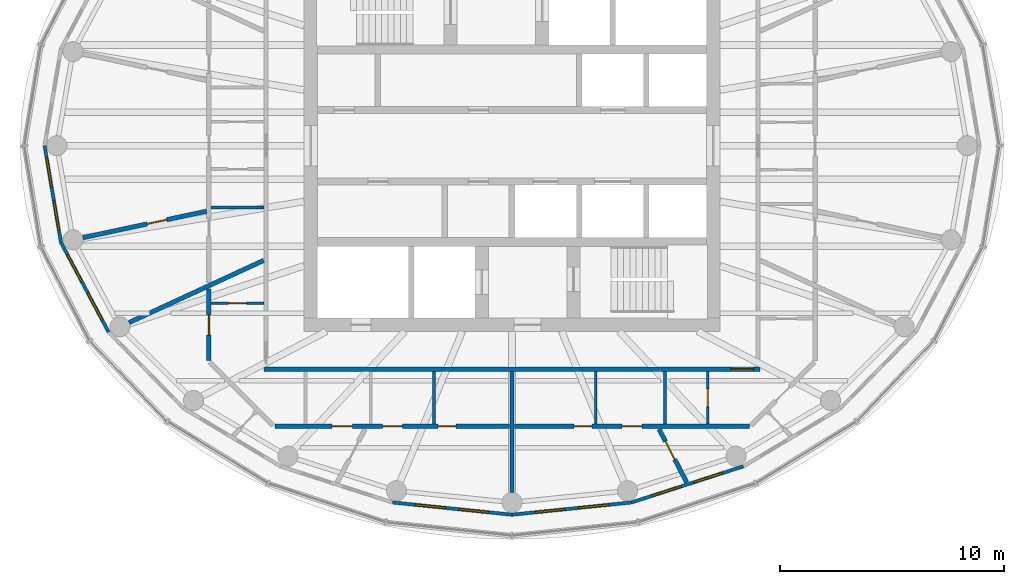
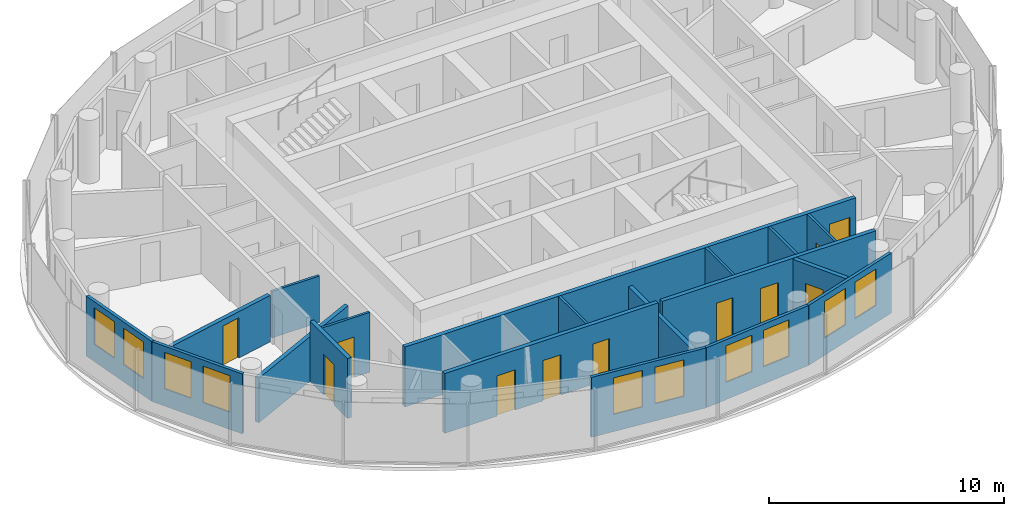
# One storey, part 5 of 11: 19 walls, 11 doors, 10 windows, 21 openings.
"""IFC4 building model written with IfcOpenShell, lengths in metres."""

from ifc_helpers import new_model, si_unit, direction, frame, frame_2d, origin, place, context, subcontext, project, spatial, rectangle, extrude, material, layer, layer_set, type_object, element, fill, save


model = new_model("IFC4")

# Units and contexts
model_context = context("Model", 3, precision=1e-05, world=origin(), true_north=direction((0.0, 1.0)))
body_context = subcontext(model_context, "Body", "Model", "MODEL_VIEW")
ifc_project = project(units=[si_unit("LENGTHUNIT", "METRE"), si_unit("AREAUNIT", "SQUARE_METRE"), si_unit("VOLUMEUNIT", "CUBIC_METRE"), si_unit("PLANEANGLEUNIT", "RADIAN"), si_unit("MASSUNIT", "GRAM", prefix="KILO")], contexts=[model_context])

# Site, building, storey
site_placement = place(None, origin())
site = spatial("IfcSite", under=ifc_project, at=site_placement, CompositionType="ELEMENT")
building_placement = place(site_placement, origin())
building = spatial("IfcBuilding", under=site, at=building_placement, Name="Hankou Lantern Tower", CompositionType="ELEMENT")
storey_placement = place(building_placement, frame((0.0, 0.0, 225.89990234375)))
storey = spatial("IfcBuildingStorey", under=building, at=storey_placement, Name="L61", CompositionType="ELEMENT", Elevation=225.89990234375)

# Wall, openings, windows
ifc_material_1 = material(Name="Aluminium spandrel panel on steel studs", Category="steel")
ifc_layer_1 = layer(ifc_material_1, 0.14990234375)
ifc_layer_set_1 = layer_set([ifc_layer_1], Name="Aluminium spandrel panel on steel studs")
wall_type_1 = type_object("IfcWallType", Name="EW1 INNER SKIN WALL 150", PredefinedType="ELEMENTEDWALL", material=ifc_layer_set_1)
wall_1_placement = place(storey_placement, frame((-20.89990234375, 0.0, 0.0), z_axis=(0.0, 0.0, 1.0), x_axis=(0.166538513568, -0.986034950445, 0.0)))
wall_1 = element("IfcWall", 1, at=wall_1_placement, inside=storey, type_object=wall_type_1, Name="Inner skin R13-R14 L61", PredefinedType="ELEMENTEDWALL", context=body_context, shape_type="SweptSolid", body=[
    extrude(rectangle(XDim=4.384765625, YDim=0.14990234375, at=frame_2d((2.1923828125, 0.0))), origin(), (0.0, 0.0, 1.0), 3.1201171875),
])
opening_1_placement = place(wall_1_placement, frame((0.54248046875, 0.0, 0.89990234375)))
opening_1 = element("IfcOpeningElement", 2, at=opening_1_placement, cuts=wall_1, Name="Opening W4", PredefinedType="OPENING", context=body_context, shape_type="SweptSolid", body=[
    extrude(rectangle(XDim=1.35009765625, YDim=1.89990234375, at=frame_2d((0.675048828125, 0.949951171875))), frame((0.0, 0.0849609375, 0.0), z_axis=(0.0, -1.0, 0.0), x_axis=(1.0, 0.0, 0.0)), (0.0, 0.0, 1.0), 0.169921875),
])
opening_2_placement = place(wall_1_placement, frame((2.492431640625, 0.0, 0.89990234375)))
opening_2 = element("IfcOpeningElement", 3, at=opening_2_placement, cuts=wall_1, Name="Opening W4", PredefinedType="OPENING", context=body_context, shape_type="SweptSolid", body=[
    extrude(rectangle(XDim=1.35009765625, YDim=1.89990234375, at=frame_2d((0.675048828125, 0.949951171875))), frame((0.0, 0.0849609375, 0.0), z_axis=(0.0, -1.0, 0.0), x_axis=(1.0, 0.0, 0.0)), (0.0, 0.0, 1.0), 0.169921875),
])
ifc_material_2 = material(Name="Aluminium framed double glazed window", Category="aluminium")
window_type = type_object("IfcWindowType", Name="W4 SUITE WINDOW 1350X1900", PartitioningType="DOUBLE_PANEL_VERTICAL", PredefinedType="WINDOW", material=ifc_material_2)
window_1_placement = place(opening_1_placement, origin())
window_1 = element("IfcWindow", 4, at=window_1_placement, inside=storey, type_object=window_type, Name="Window R13.1 L61", OverallHeight=1.89990234375, OverallWidth=1.35009765625, PartitioningType="SINGLE_PANEL", PredefinedType="WINDOW", context=body_context, shape_type="SweptSolid", body=[
    extrude(rectangle(XDim=1.35009765625, YDim=1.89990234375, at=frame_2d((0.675048828125, 0.949951171875))), frame((0.0, 0.030029296875, 0.0), z_axis=(0.0, -1.0, 0.0), x_axis=(1.0, 0.0, 0.0)), (0.0, 0.0, 1.0), 0.06005859375),
])
fill(opening_1, window_1)
window_2_placement = place(opening_2_placement, origin())
window_2 = element("IfcWindow", 5, at=window_2_placement, inside=storey, type_object=window_type, Name="Window R13.2 L61", OverallHeight=1.89990234375, OverallWidth=1.35009765625, PartitioningType="SINGLE_PANEL", PredefinedType="WINDOW", context=body_context, shape_type="SweptSolid", body=[
    extrude(rectangle(XDim=1.35009765625, YDim=1.89990234375, at=frame_2d((0.675048828125, 0.949951171875))), frame((0.0, 0.030029296875, 0.0), z_axis=(0.0, -1.0, 0.0), x_axis=(1.0, 0.0, 0.0)), (0.0, 0.0, 1.0), 0.06005859375),
])
fill(opening_2, window_2)

wall_2_placement = place(storey_placement, frame((-20.169677734375, -4.323486328125, 0.0), z_axis=(0.0, 0.0, 1.0), x_axis=(0.469256152955, -0.883062094597, 0.0)))
wall_2 = element("IfcWall", 6, at=wall_2_placement, inside=storey, type_object=wall_type_1, Name="Inner skin R14-R15 L61", PredefinedType="ELEMENTEDWALL", context=body_context, shape_type="SweptSolid", body=[
    extrude(rectangle(XDim=4.539306640625, YDim=0.14990234375, at=frame_2d((2.26953125, 0.0))), origin(), (0.0, 0.0, 1.0), 3.1201171875),
])
opening_3_placement = place(wall_2_placement, frame((0.61962890625, 0.0, 0.89990234375)))
opening_3 = element("IfcOpeningElement", 7, at=opening_3_placement, cuts=wall_2, Name="Opening W4", PredefinedType="OPENING", context=body_context, shape_type="SweptSolid", body=[
    extrude(rectangle(XDim=1.35009765625, YDim=1.89990234375, at=frame_2d((0.675048828125, 0.949951171875))), frame((0.0, 0.0849609375, 0.0), z_axis=(0.0, -1.0, 0.0), x_axis=(1.0, 0.0, 0.0)), (0.0, 0.0, 1.0), 0.169921875),
])
opening_4_placement = place(wall_2_placement, frame((2.569580078125, 0.0, 0.89990234375)))
opening_4 = element("IfcOpeningElement", 8, at=opening_4_placement, cuts=wall_2, Name="Opening W4", PredefinedType="OPENING", context=body_context, shape_type="SweptSolid", body=[
    extrude(rectangle(XDim=1.35009765625, YDim=1.89990234375, at=frame_2d((0.675048828125, 0.949951171875))), frame((0.0, 0.0849609375, 0.0), z_axis=(0.0, -1.0, 0.0), x_axis=(1.0, 0.0, 0.0)), (0.0, 0.0, 1.0), 0.169921875),
])
window_3_placement = place(opening_3_placement, origin())
window_3 = element("IfcWindow", 9, at=window_3_placement, inside=storey, type_object=window_type, Name="Window R14.1 L61", OverallHeight=1.89990234375, OverallWidth=1.35009765625, PartitioningType="SINGLE_PANEL", PredefinedType="WINDOW", context=body_context, shape_type="SweptSolid", body=[
    extrude(rectangle(XDim=1.35009765625, YDim=1.89990234375, at=frame_2d((0.675048828125, 0.949951171875))), frame((0.0, 0.030029296875, 0.0), z_axis=(0.0, -1.0, 0.0), x_axis=(1.0, 0.0, 0.0)), (0.0, 0.0, 1.0), 0.06005859375),
])
fill(opening_3, window_3)
window_4_placement = place(opening_4_placement, origin())
window_4 = element("IfcWindow", 10, at=window_4_placement, inside=storey, type_object=window_type, Name="Window R14.2 L61", OverallHeight=1.89990234375, OverallWidth=1.35009765625, PartitioningType="SINGLE_PANEL", PredefinedType="WINDOW", context=body_context, shape_type="SweptSolid", body=[
    extrude(rectangle(XDim=1.35009765625, YDim=1.89990234375, at=frame_2d((0.675048828125, 0.949951171875))), frame((0.0, 0.030029296875, 0.0), z_axis=(0.0, -1.0, 0.0), x_axis=(1.0, 0.0, 0.0)), (0.0, 0.0, 1.0), 0.06005859375),
])
fill(opening_4, window_4)

wall_3_placement = place(storey_placement, frame((-5.3427734375, -15.95166015625, 0.0), z_axis=(0.0, 0.0, 1.0), x_axis=(0.994774574972, -0.102095763818, 0.0)))
wall_3 = element("IfcWall", 11, at=wall_3_placement, inside=storey, type_object=wall_type_1, Name="Inner skin R18-R19 L61", PredefinedType="ELEMENTEDWALL", context=body_context, shape_type="SweptSolid", body=[
    extrude(rectangle(XDim=5.370849609375, YDim=0.14990234375, at=frame_2d((2.685546875, 0.0))), origin(), (0.0, 0.0, 1.0), 3.1201171875),
])
opening_5_placement = place(wall_3_placement, frame((1.035400390625, 0.0, 0.89990234375)))
opening_5 = element("IfcOpeningElement", 12, at=opening_5_placement, cuts=wall_3, Name="Opening W4", PredefinedType="OPENING", context=body_context, shape_type="SweptSolid", body=[
    extrude(rectangle(XDim=1.35009765625, YDim=1.89990234375, at=frame_2d((0.675048828125, 0.949951171875))), frame((0.0, 0.0849609375, 0.0), z_axis=(0.0, -1.0, 0.0), x_axis=(1.0, 0.0, 0.0)), (0.0, 0.0, 1.0), 0.169921875),
])
opening_6_placement = place(wall_3_placement, frame((2.9853515625, 0.0, 0.89990234375)))
opening_6 = element("IfcOpeningElement", 13, at=opening_6_placement, cuts=wall_3, Name="Opening W4", PredefinedType="OPENING", context=body_context, shape_type="SweptSolid", body=[
    extrude(rectangle(XDim=1.35009765625, YDim=1.89990234375, at=frame_2d((0.675048828125, 0.949951171875))), frame((0.0, 0.0849609375, 0.0), z_axis=(0.0, -1.0, 0.0), x_axis=(1.0, 0.0, 0.0)), (0.0, 0.0, 1.0), 0.169921875),
])
window_5_placement = place(opening_5_placement, origin())
window_5 = element("IfcWindow", 14, at=window_5_placement, inside=storey, type_object=window_type, Name="Window R18.1 L61", OverallHeight=1.89990234375, OverallWidth=1.35009765625, PartitioningType="SINGLE_PANEL", PredefinedType="WINDOW", context=body_context, shape_type="SweptSolid", body=[
    extrude(rectangle(XDim=1.35009765625, YDim=1.89990234375, at=frame_2d((0.675048828125, 0.949951171875))), frame((0.0, 0.030029296875, 0.0), z_axis=(0.0, -1.0, 0.0), x_axis=(1.0, 0.0, 0.0)), (0.0, 0.0, 1.0), 0.06005859375),
])
fill(opening_5, window_5)
window_6_placement = place(opening_6_placement, origin())
window_6 = element("IfcWindow", 15, at=window_6_placement, inside=storey, type_object=window_type, Name="Window R18.2 L61", OverallHeight=1.89990234375, OverallWidth=1.35009765625, PartitioningType="SINGLE_PANEL", PredefinedType="WINDOW", context=body_context, shape_type="SweptSolid", body=[
    extrude(rectangle(XDim=1.35009765625, YDim=1.89990234375, at=frame_2d((0.675048828125, 0.949951171875))), frame((0.0, 0.030029296875, 0.0), z_axis=(0.0, -1.0, 0.0), x_axis=(1.0, 0.0, 0.0)), (0.0, 0.0, 1.0), 0.06005859375),
])
fill(opening_6, window_6)

wall_4_placement = place(storey_placement, frame((0.0, -16.5, 0.0), z_axis=(0.0, 0.0, 1.0), x_axis=(0.994774574972, 0.102095763818, 0.0)))
wall_4 = element("IfcWall", 16, at=wall_4_placement, inside=storey, type_object=wall_type_1, Name="Inner skin R19-R20 L61", PredefinedType="ELEMENTEDWALL", context=body_context, shape_type="SweptSolid", body=[
    extrude(rectangle(XDim=5.370849609375, YDim=0.14990234375, at=frame_2d((2.685546875, 0.0))), origin(), (0.0, 0.0, 1.0), 3.1201171875),
])
opening_7_placement = place(wall_4_placement, frame((1.035400390625, 0.0, 0.89990234375)))
opening_7 = element("IfcOpeningElement", 17, at=opening_7_placement, cuts=wall_4, Name="Opening W4", PredefinedType="OPENING", context=body_context, shape_type="SweptSolid", body=[
    extrude(rectangle(XDim=1.35009765625, YDim=1.89990234375, at=frame_2d((0.675048828125, 0.949951171875))), frame((0.0, 0.0849609375, 0.0), z_axis=(0.0, -1.0, 0.0), x_axis=(1.0, 0.0, 0.0)), (0.0, 0.0, 1.0), 0.169921875),
])
opening_8_placement = place(wall_4_placement, frame((2.9853515625, 0.0, 0.89990234375)))
opening_8 = element("IfcOpeningElement", 18, at=opening_8_placement, cuts=wall_4, Name="Opening W4", PredefinedType="OPENING", context=body_context, shape_type="SweptSolid", body=[
    extrude(rectangle(XDim=1.35009765625, YDim=1.89990234375, at=frame_2d((0.675048828125, 0.949951171875))), frame((0.0, 0.0849609375, 0.0), z_axis=(0.0, -1.0, 0.0), x_axis=(1.0, 0.0, 0.0)), (0.0, 0.0, 1.0), 0.169921875),
])
window_7_placement = place(opening_7_placement, origin())
window_7 = element("IfcWindow", 19, at=window_7_placement, inside=storey, type_object=window_type, Name="Window R19.1 L61", OverallHeight=1.89990234375, OverallWidth=1.35009765625, PartitioningType="SINGLE_PANEL", PredefinedType="WINDOW", context=body_context, shape_type="SweptSolid", body=[
    extrude(rectangle(XDim=1.35009765625, YDim=1.89990234375, at=frame_2d((0.675048828125, 0.949951171875))), frame((0.0, 0.030029296875, 0.0), z_axis=(0.0, -1.0, 0.0), x_axis=(1.0, 0.0, 0.0)), (0.0, 0.0, 1.0), 0.06005859375),
])
fill(opening_7, window_7)
window_8_placement = place(opening_8_placement, origin())
window_8 = element("IfcWindow", 20, at=window_8_placement, inside=storey, type_object=window_type, Name="Window R19.2 L61", OverallHeight=1.89990234375, OverallWidth=1.35009765625, PartitioningType="SINGLE_PANEL", PredefinedType="WINDOW", context=body_context, shape_type="SweptSolid", body=[
    extrude(rectangle(XDim=1.35009765625, YDim=1.89990234375, at=frame_2d((0.675048828125, 0.949951171875))), frame((0.0, 0.030029296875, 0.0), z_axis=(0.0, -1.0, 0.0), x_axis=(1.0, 0.0, 0.0)), (0.0, 0.0, 1.0), 0.06005859375),
])
fill(opening_8, window_8)

wall_5_placement = place(storey_placement, frame((5.3427734375, -15.95166015625, 0.0), z_axis=(0.0, 0.0, 1.0), x_axis=(0.951644702515, 0.307200846638, 0.0)))
wall_5 = element("IfcWall", 21, at=wall_5_placement, inside=storey, type_object=wall_type_1, Name="Inner skin R20-R21 L61", PredefinedType="ELEMENTEDWALL", context=body_context, shape_type="SweptSolid", body=[
    extrude(rectangle(XDim=5.2578125, YDim=0.14990234375, at=frame_2d((2.62890625, 0.0))), origin(), (0.0, 0.0, 1.0), 3.1201171875),
])
opening_9_placement = place(wall_5_placement, frame((0.97900390625, 0.0, 0.89990234375)))
opening_9 = element("IfcOpeningElement", 22, at=opening_9_placement, cuts=wall_5, Name="Opening W4", PredefinedType="OPENING", context=body_context, shape_type="SweptSolid", body=[
    extrude(rectangle(XDim=1.35009765625, YDim=1.89990234375, at=frame_2d((0.675048828125, 0.949951171875))), frame((0.0, 0.0849609375, 0.0), z_axis=(0.0, -1.0, 0.0), x_axis=(1.0, 0.0, 0.0)), (0.0, 0.0, 1.0), 0.169921875),
])
opening_10_placement = place(wall_5_placement, frame((2.928955078125, 0.0, 0.89990234375)))
opening_10 = element("IfcOpeningElement", 23, at=opening_10_placement, cuts=wall_5, Name="Opening W4", PredefinedType="OPENING", context=body_context, shape_type="SweptSolid", body=[
    extrude(rectangle(XDim=1.35009765625, YDim=1.89990234375, at=frame_2d((0.675048828125, 0.949951171875))), frame((0.0, 0.0849609375, 0.0), z_axis=(0.0, -1.0, 0.0), x_axis=(1.0, 0.0, 0.0)), (0.0, 0.0, 1.0), 0.169921875),
])
window_9_placement = place(opening_9_placement, origin())
window_9 = element("IfcWindow", 24, at=window_9_placement, inside=storey, type_object=window_type, Name="Window R20.1 L61", OverallHeight=1.89990234375, OverallWidth=1.35009765625, PartitioningType="SINGLE_PANEL", PredefinedType="WINDOW", context=body_context, shape_type="SweptSolid", body=[
    extrude(rectangle(XDim=1.35009765625, YDim=1.89990234375, at=frame_2d((0.675048828125, 0.949951171875))), frame((0.0, 0.030029296875, 0.0), z_axis=(0.0, -1.0, 0.0), x_axis=(1.0, 0.0, 0.0)), (0.0, 0.0, 1.0), 0.06005859375),
])
fill(opening_9, window_9)
window_10_placement = place(opening_10_placement, origin())
window_10 = element("IfcWindow", 25, at=window_10_placement, inside=storey, type_object=window_type, Name="Window R20.2 L61", OverallHeight=1.89990234375, OverallWidth=1.35009765625, PartitioningType="SINGLE_PANEL", PredefinedType="WINDOW", context=body_context, shape_type="SweptSolid", body=[
    extrude(rectangle(XDim=1.35009765625, YDim=1.89990234375, at=frame_2d((0.675048828125, 0.949951171875))), frame((0.0, 0.030029296875, 0.0), z_axis=(0.0, -1.0, 0.0), x_axis=(1.0, 0.0, 0.0)), (0.0, 0.0, 1.0), 0.06005859375),
])
fill(opening_10, window_10)

# Walls
ifc_material_3 = material(Name="Masonry lightweight concrete block", Category="masonry")
ifc_layer_2 = layer(ifc_material_3, 0.199951171875)
ifc_layer_set_2 = layer_set([ifc_layer_2], Name="Masonry lightweight concrete block")
wall_type_2 = type_object("IfcWallType", Name="IW1 GUEST ROOM PARTY WALL 200", PredefinedType="PARTITIONING", material=ifc_layer_set_2)
wall_6_placement = place(storey_placement, frame((-11.10009765625, -5.126953125, 0.0), z_axis=(0.0, 0.0, 1.0), x_axis=(-0.907840886552, -0.419314827672, 0.0)))
element("IfcWall", 26, at=wall_6_placement, inside=storey, type_object=wall_type_2, Name="Party wall R15", PredefinedType="PARTITIONING", context=body_context, shape_type="SweptSolid", body=[
    extrude(rectangle(XDim=6.63525390625, YDim=0.199951171875, at=frame_2d((3.317626953125, 0.0))), origin(), (0.0, 0.0, 1.0), 2.320068359375),
])
wall_7_placement = place(storey_placement, frame((0.0, -10.10009765625, 0.0), z_axis=(0.0, 0.0, 1.0), x_axis=(0.0, -1.0, 0.0)))
element("IfcWall", 27, at=wall_7_placement, inside=storey, type_object=wall_type_2, Name="Party wall R19", PredefinedType="PARTITIONING", context=body_context, shape_type="SweptSolid", body=[
    extrude(rectangle(XDim=5.39990234375, YDim=0.199951171875, at=frame_2d((2.699951171875, 0.0))), origin(), (0.0, 0.0, 1.0), 2.420166015625),
])

# Wall, opening, door
ifc_material_4 = material(Name="Masonry lightweight concrete block", Category="masonry")
ifc_layer_3 = layer(ifc_material_4, 0.199951171875)
ifc_layer_set_3 = layer_set([ifc_layer_3], Name="Masonry lightweight concrete block")
wall_type_3 = type_object("IfcWallType", Name="IW2 CORRIDOR WALL 200", PredefinedType="PARTITIONING", material=ifc_layer_set_3)
wall_8_placement = place(storey_placement, frame((11.10009765625, -10.0, 0.0), z_axis=(0.0, 0.0, 1.0), x_axis=(-1.0, 0.0, 0.0)))
wall_8 = element("IfcWall", 28, at=wall_8_placement, inside=storey, type_object=wall_type_3, Name="Corridor wall south", PredefinedType="PARTITIONING", context=body_context, shape_type="SweptSolid", body=[
    extrude(rectangle(XDim=22.2001953125, YDim=0.199951171875, at=frame_2d((11.10009765625, 0.0))), origin(), (0.0, 0.0, 1.0), 3.1201171875),
])
opening_11_placement = place(wall_8_placement, frame((0.300048828125, 0.0, 0.0)))
opening_11 = element("IfcOpeningElement", 29, at=opening_11_placement, cuts=wall_8, Name="Opening D2", PredefinedType="OPENING", context=body_context, shape_type="SweptSolid", body=[
    extrude(rectangle(XDim=1.0, YDim=2.199951171875, at=frame_2d((0.5, 1.10009765625))), frame((0.0, 0.10986328125, 0.0), z_axis=(0.0, -1.0, 0.0), x_axis=(1.0, 0.0, 0.0)), (0.0, 0.0, 1.0), 0.219970703125),
])
ifc_material_5 = material(Name="Steel door leaf", Category="steel")
door_type_1 = type_object("IfcDoorType", Name="D2 SUITE DOOR 1000X2200", OperationType="SINGLE_SWING_LEFT", PredefinedType="DOOR", material=ifc_material_5)
door_1_placement = place(opening_11_placement, origin())
door_1 = element("IfcDoor", 30, at=door_1_placement, inside=storey, type_object=door_type_1, Name="Suite door 6105", OperationType="SINGLE_SWING_RIGHT", OverallHeight=2.199951171875, OverallWidth=1.0, PredefinedType="DOOR", context=body_context, shape_type="SweptSolid", body=[
    extrude(rectangle(XDim=1.0, YDim=2.199951171875, at=frame_2d((0.5, 1.10009765625))), frame((0.0, 0.02490234375, 0.0), z_axis=(0.0, -1.0, 0.0), x_axis=(1.0, 0.0, 0.0)), (0.0, 0.0, 1.0), 0.050048828125),
])
fill(opening_11, door_1)

# Wall
ifc_material_6 = material(Name="Masonry lightweight concrete block", Category="masonry")
ifc_layer_4 = layer(ifc_material_6, 0.1201171875)
ifc_layer_set_4 = layer_set([ifc_layer_4], Name="Masonry lightweight concrete block")
wall_type_4 = type_object("IfcWallType", Name="IW3 BATHROOM WALL 120", PredefinedType="PARTITIONING", material=ifc_layer_set_4)
wall_9_placement = place(storey_placement, frame((-11.10009765625, -2.764404296875, 0.0), z_axis=(0.0, 0.0, 1.0), x_axis=(-1.0, 0.0, 0.0)))
element("IfcWall", 31, at=wall_9_placement, inside=storey, type_object=wall_type_4, Name="Box wall 6103 4", PredefinedType="PARTITIONING", context=body_context, shape_type="SweptSolid", body=[
    extrude(rectangle(XDim=2.349853515625, YDim=0.1201171875, at=frame_2d((1.1748046875, 0.0))), origin(), (0.0, 0.0, 1.0), 2.420166015625),
])

# Wall, opening, door
wall_10_placement = place(storey_placement, frame((-11.10009765625, -7.048095703125, 0.0), z_axis=(0.0, 0.0, 1.0), x_axis=(-1.0, 0.0, 0.0)))
wall_10 = element("IfcWall", 32, at=wall_10_placement, inside=storey, type_object=wall_type_4, Name="Box wall 6104 1", PredefinedType="PARTITIONING", context=body_context, shape_type="SweptSolid", body=[
    extrude(rectangle(XDim=2.349853515625, YDim=0.1201171875, at=frame_2d((1.1748046875, 0.0))), origin(), (0.0, 0.0, 1.0), 3.1201171875),
])
opening_12_placement = place(wall_10_placement, frame((0.77001953125, 0.0, 0.0)))
opening_12 = element("IfcOpeningElement", 33, at=opening_12_placement, cuts=wall_10, Name="Opening D3", PredefinedType="OPENING", context=body_context, shape_type="SweptSolid", body=[
    extrude(rectangle(XDim=0.800048828125, YDim=2.10009765625, at=frame_2d((0.39990234375, 1.050048828125))), frame((0.0, 0.070068359375, 0.0), z_axis=(0.0, -1.0, 0.0), x_axis=(1.0, 0.0, 0.0)), (0.0, 0.0, 1.0), 0.14013671875),
])
ifc_material_7 = material(Name="Timber door leaf", Category="wood")
door_type_2 = type_object("IfcDoorType", Name="D3 BATHROOM DOOR 800X2100", OperationType="SINGLE_SWING_LEFT", PredefinedType="DOOR", material=ifc_material_7)
door_2_placement = place(opening_12_placement, origin())
door_2 = element("IfcDoor", 34, at=door_2_placement, inside=storey, type_object=door_type_2, Name="Corner suite 6104 guest WC door", OperationType="SINGLE_SWING_LEFT", OverallHeight=2.10009765625, OverallWidth=0.800048828125, PredefinedType="DOOR", context=body_context, shape_type="SweptSolid", body=[
    extrude(rectangle(XDim=0.800048828125, YDim=2.10009765625, at=frame_2d((0.39990234375, 1.050048828125))), frame((0.0, 0.02490234375, 0.0), z_axis=(0.0, -1.0, 0.0), x_axis=(1.0, 0.0, 0.0)), (0.0, 0.0, 1.0), 0.050048828125),
])
fill(opening_12, door_2)

# Walls
for number, where, z_axis, x_axis, name in (
    (35, (-3.49072265625, -10.10009765625, 0.0), (0.0, 0.0, 1.0), (0.0, -1.0, 0.0), "Box wall 6104 4"),
    (36, (3.740478515625, -10.10009765625, 0.0), (0.0, 0.0, 1.0), (0.0, -1.0, 0.0), "Box wall 6105 1"),
    (37, (6.838134765625, -10.10009765625, 0.0), (0.0, 0.0, 1.0), (0.0, -1.0, 0.0), "Box wall 6105 2"),
):
    element("IfcWall", number, at=place(storey_placement, frame(where, z_axis=z_axis, x_axis=x_axis)), inside=storey, type_object=wall_type_4, Name=name, PredefinedType="PARTITIONING", context=body_context, shape_type="SweptSolid", body=[
        extrude(rectangle(XDim=2.349853515625, YDim=0.1201171875, at=frame_2d((1.1748046875, 0.0))), origin(), (0.0, 0.0, 1.0), 3.1201171875),
    ])

# Wall, opening, door
wall_11_placement = place(storey_placement, frame((8.7509765625, -10.10009765625, 0.0), z_axis=(0.0, 0.0, 1.0), x_axis=(0.0, -1.0, 0.0)))
wall_11 = element("IfcWall", 38, at=wall_11_placement, inside=storey, type_object=wall_type_4, Name="Box wall 6105 3", PredefinedType="PARTITIONING", context=body_context, shape_type="SweptSolid", body=[
    extrude(rectangle(XDim=2.349853515625, YDim=0.1201171875, at=frame_2d((1.1748046875, 0.0))), origin(), (0.0, 0.0, 1.0), 3.1201171875),
])
opening_13_placement = place(wall_11_placement, frame((0.77001953125, 0.0, 0.0)))
opening_13 = element("IfcOpeningElement", 39, at=opening_13_placement, cuts=wall_11, Name="Opening D3", PredefinedType="OPENING", context=body_context, shape_type="SweptSolid", body=[
    extrude(rectangle(XDim=0.800048828125, YDim=2.10009765625, at=frame_2d((0.39990234375, 1.050048828125))), frame((0.0, 0.070068359375, 0.0), z_axis=(0.0, -1.0, 0.0), x_axis=(1.0, 0.0, 0.0)), (0.0, 0.0, 1.0), 0.14013671875),
])
door_3_placement = place(opening_13_placement, origin())
door_3 = element("IfcDoor", 40, at=door_3_placement, inside=storey, type_object=door_type_2, Name="Corner suite 6105 guest WC door", OperationType="SINGLE_SWING_LEFT", OverallHeight=2.10009765625, OverallWidth=0.800048828125, PredefinedType="DOOR", context=body_context, shape_type="SweptSolid", body=[
    extrude(rectangle(XDim=0.800048828125, YDim=2.10009765625, at=frame_2d((0.39990234375, 1.050048828125))), frame((0.0, 0.02490234375, 0.0), z_axis=(0.0, -1.0, 0.0), x_axis=(1.0, 0.0, 0.0)), (0.0, 0.0, 1.0), 0.050048828125),
])
fill(opening_13, door_3)

ifc_material_8 = material(Name="Masonry lightweight concrete block", Category="masonry")
ifc_layer_5 = layer(ifc_material_8, 0.199951171875)
ifc_layer_set_5 = layer_set([ifc_layer_5], Name="Masonry lightweight concrete block")
wall_type_5 = type_object("IfcWallType", Name="IW6 SUITE PARTITION 200", PredefinedType="PARTITIONING", material=ifc_layer_set_5)
wall_12_placement = place(storey_placement, frame((-13.65478515625, -2.927001953125, 0.0), z_axis=(0.0, 0.0, 1.0), x_axis=(-0.977790419294, -0.209585056568, 0.0)))
wall_12 = element("IfcWall", 41, at=wall_12_placement, inside=storey, type_object=wall_type_5, Name="Suite partition R14", PredefinedType="PARTITIONING", context=body_context, shape_type="SweptSolid", body=[
    extrude(rectangle(XDim=5.66015625, YDim=0.199951171875, at=frame_2d((2.830078125, 0.0))), origin(), (0.0, 0.0, 1.0), 2.420166015625),
])
opening_14_placement = place(wall_12_placement, frame((1.820068359375, 0.0, 0.0)))
opening_14 = element("IfcOpeningElement", 42, at=opening_14_placement, cuts=wall_12, Name="Opening D27", PredefinedType="OPENING", context=body_context, shape_type="SweptSolid", body=[
    extrude(rectangle(XDim=0.89990234375, YDim=2.10009765625, at=frame_2d((0.449951171875, 1.050048828125))), frame((0.0, 0.10986328125, 0.0), z_axis=(0.0, -1.0, 0.0), x_axis=(1.0, 0.0, 0.0)), (0.0, 0.0, 1.0), 0.219970703125),
])
ifc_material_9 = material(Name="Timber door leaf", Category="wood")
door_type_3 = type_object("IfcDoorType", Name="D27 INTERNAL DOOR 900X2100", OperationType="SINGLE_SWING_LEFT", PredefinedType="DOOR", material=ifc_material_9)
door_4_placement = place(opening_14_placement, origin())
door_4 = element("IfcDoor", 43, at=door_4_placement, inside=storey, type_object=door_type_3, Name="Family suite 6103 second bedroom door", OperationType="SINGLE_SWING_LEFT", OverallHeight=2.10009765625, OverallWidth=0.89990234375, PredefinedType="DOOR", context=body_context, shape_type="SweptSolid", body=[
    extrude(rectangle(XDim=0.89990234375, YDim=2.10009765625, at=frame_2d((0.449951171875, 1.050048828125))), frame((0.0, 0.02490234375, 0.0), z_axis=(0.0, -1.0, 0.0), x_axis=(1.0, 0.0, 0.0)), (0.0, 0.0, 1.0), 0.050048828125),
])
fill(opening_14, door_4)

wall_13_placement = place(storey_placement, frame((-13.550048828125, -6.399658203125, 0.0), z_axis=(0.0, 0.0, 1.0), x_axis=(0.0, -1.0, 0.0)))
wall_13 = element("IfcWall", 44, at=wall_13_placement, inside=storey, type_object=wall_type_5, Name="Suite foyer wall 6104", PredefinedType="PARTITIONING", context=body_context, shape_type="SweptSolid", body=[
    extrude(rectangle(XDim=3.208984375, YDim=0.199951171875, at=frame_2d((1.6044921875, 0.0))), origin(), (0.0, 0.0, 1.0), 3.1201171875),
])
opening_15_placement = place(wall_13_placement, frame((1.169921875, 0.0, 0.0)))
opening_15 = element("IfcOpeningElement", 45, at=opening_15_placement, cuts=wall_13, Name="Opening D27", PredefinedType="OPENING", context=body_context, shape_type="SweptSolid", body=[
    extrude(rectangle(XDim=0.89990234375, YDim=2.10009765625, at=frame_2d((0.449951171875, 1.050048828125))), frame((0.0, 0.10986328125, 0.0), z_axis=(0.0, -1.0, 0.0), x_axis=(1.0, 0.0, 0.0)), (0.0, 0.0, 1.0), 0.219970703125),
])
door_5_placement = place(opening_15_placement, origin())
door_5 = element("IfcDoor", 46, at=door_5_placement, inside=storey, type_object=door_type_3, Name="Corner suite 6104 living room door", OperationType="SINGLE_SWING_LEFT", OverallHeight=2.10009765625, OverallWidth=0.89990234375, PredefinedType="DOOR", context=body_context, shape_type="SweptSolid", body=[
    extrude(rectangle(XDim=0.89990234375, YDim=2.10009765625, at=frame_2d((0.449951171875, 1.050048828125))), frame((0.0, 0.02490234375, 0.0), z_axis=(0.0, -1.0, 0.0), x_axis=(1.0, 0.0, 0.0)), (0.0, 0.0, 1.0), 0.050048828125),
])
fill(opening_15, door_5)

# Wall, openings, doors
wall_14_placement = place(storey_placement, frame((-10.608642578125, -12.550048828125, 0.0), z_axis=(0.0, 0.0, 1.0), x_axis=(1.0, 0.0, 0.0)))
wall_14 = element("IfcWall", 47, at=wall_14_placement, inside=storey, type_object=wall_type_5, Name="Suite foyer wall 6104", PredefinedType="PARTITIONING", context=body_context, shape_type="SweptSolid", body=[
    extrude(rectangle(XDim=10.507568359375, YDim=0.199951171875, at=frame_2d((5.25390625, 0.0))), origin(), (0.0, 0.0, 1.0), 3.1201171875),
])
opening_16_placement = place(wall_14_placement, frame((2.570068359375, 0.0, 0.0)))
opening_16 = element("IfcOpeningElement", 48, at=opening_16_placement, cuts=wall_14, Name="Opening D27", PredefinedType="OPENING", context=body_context, shape_type="SweptSolid", body=[
    extrude(rectangle(XDim=0.89990234375, YDim=2.10009765625, at=frame_2d((0.449951171875, 1.050048828125))), frame((0.0, 0.10986328125, 0.0), z_axis=(0.0, -1.0, 0.0), x_axis=(1.0, 0.0, 0.0)), (0.0, 0.0, 1.0), 0.219970703125),
])
opening_17_placement = place(wall_14_placement, frame((4.820068359375, 0.0, 0.0)))
opening_17 = element("IfcOpeningElement", 49, at=opening_17_placement, cuts=wall_14, Name="Opening D27", PredefinedType="OPENING", context=body_context, shape_type="SweptSolid", body=[
    extrude(rectangle(XDim=0.89990234375, YDim=2.10009765625, at=frame_2d((0.449951171875, 1.050048828125))), frame((0.0, 0.10986328125, 0.0), z_axis=(0.0, -1.0, 0.0), x_axis=(1.0, 0.0, 0.0)), (0.0, 0.0, 1.0), 0.219970703125),
])
opening_18_placement = place(wall_14_placement, frame((7.302734375, 0.0, 0.0)))
opening_18 = element("IfcOpeningElement", 50, at=opening_18_placement, cuts=wall_14, Name="Opening D3", PredefinedType="OPENING", context=body_context, shape_type="SweptSolid", body=[
    extrude(rectangle(XDim=0.800048828125, YDim=2.10009765625, at=frame_2d((0.39990234375, 1.050048828125))), frame((0.0, 0.10986328125, 0.0), z_axis=(0.0, -1.0, 0.0), x_axis=(1.0, 0.0, 0.0)), (0.0, 0.0, 1.0), 0.219970703125),
])
door_6_placement = place(opening_16_placement, origin())
door_6 = element("IfcDoor", 51, at=door_6_placement, inside=storey, type_object=door_type_3, Name="Corner suite 6104 pantry door", OperationType="SINGLE_SWING_RIGHT", OverallHeight=2.10009765625, OverallWidth=0.89990234375, PredefinedType="DOOR", context=body_context, shape_type="SweptSolid", body=[
    extrude(rectangle(XDim=0.89990234375, YDim=2.10009765625, at=frame_2d((0.449951171875, 1.050048828125))), frame((0.0, 0.02490234375, 0.0), z_axis=(0.0, -1.0, 0.0), x_axis=(1.0, 0.0, 0.0)), (0.0, 0.0, 1.0), 0.050048828125),
])
fill(opening_16, door_6)
door_7_placement = place(opening_17_placement, origin())
door_7 = element("IfcDoor", 52, at=door_7_placement, inside=storey, type_object=door_type_3, Name="Corner suite 6104 walk-in wardrobe door", OperationType="SINGLE_SWING_LEFT", OverallHeight=2.10009765625, OverallWidth=0.89990234375, PredefinedType="DOOR", context=body_context, shape_type="SweptSolid", body=[
    extrude(rectangle(XDim=0.89990234375, YDim=2.10009765625, at=frame_2d((0.449951171875, 1.050048828125))), frame((0.0, 0.02490234375, 0.0), z_axis=(0.0, -1.0, 0.0), x_axis=(1.0, 0.0, 0.0)), (0.0, 0.0, 1.0), 0.050048828125),
])
fill(opening_17, door_7)
door_8_placement = place(opening_18_placement, origin())
door_8 = element("IfcDoor", 53, at=door_8_placement, inside=storey, type_object=door_type_2, Name="Corner suite 6104 bathroom door", OperationType="SINGLE_SWING_LEFT", OverallHeight=2.10009765625, OverallWidth=0.800048828125, PredefinedType="DOOR", context=body_context, shape_type="SweptSolid", body=[
    extrude(rectangle(XDim=0.800048828125, YDim=2.10009765625, at=frame_2d((0.39990234375, 1.050048828125))), frame((0.0, 0.02490234375, 0.0), z_axis=(0.0, -1.0, 0.0), x_axis=(1.0, 0.0, 0.0)), (0.0, 0.0, 1.0), 0.050048828125),
])
fill(opening_18, door_8)

wall_15_placement = place(storey_placement, frame((0.10107421875, -12.550048828125, 0.0), z_axis=(0.0, 0.0, 1.0), x_axis=(1.0, 0.0, 0.0)))
wall_15 = element("IfcWall", 54, at=wall_15_placement, inside=storey, type_object=wall_type_5, Name="Suite foyer wall 6105", PredefinedType="PARTITIONING", context=body_context, shape_type="SweptSolid", body=[
    extrude(rectangle(XDim=10.507568359375, YDim=0.199951171875, at=frame_2d((5.25390625, 0.0))), origin(), (0.0, 0.0, 1.0), 3.1201171875),
])
opening_19_placement = place(wall_15_placement, frame((2.675048828125, 0.0, 0.0)))
opening_19 = element("IfcOpeningElement", 55, at=opening_19_placement, cuts=wall_15, Name="Opening D3", PredefinedType="OPENING", context=body_context, shape_type="SweptSolid", body=[
    extrude(rectangle(XDim=0.800048828125, YDim=2.10009765625, at=frame_2d((0.39990234375, 1.050048828125))), frame((0.0, 0.10986328125, 0.0), z_axis=(0.0, -1.0, 0.0), x_axis=(1.0, 0.0, 0.0)), (0.0, 0.0, 1.0), 0.219970703125),
])
opening_20_placement = place(wall_15_placement, frame((4.820068359375, 0.0, 0.0)))
opening_20 = element("IfcOpeningElement", 56, at=opening_20_placement, cuts=wall_15, Name="Opening D27", PredefinedType="OPENING", context=body_context, shape_type="SweptSolid", body=[
    extrude(rectangle(XDim=0.89990234375, YDim=2.10009765625, at=frame_2d((0.449951171875, 1.050048828125))), frame((0.0, 0.10986328125, 0.0), z_axis=(0.0, -1.0, 0.0), x_axis=(1.0, 0.0, 0.0)), (0.0, 0.0, 1.0), 0.219970703125),
])
door_9_placement = place(opening_20_placement, origin())
door_9 = element("IfcDoor", 57, at=door_9_placement, inside=storey, type_object=door_type_3, Name="Corner suite 6105 walk-in wardrobe door", OperationType="SINGLE_SWING_RIGHT", OverallHeight=2.10009765625, OverallWidth=0.89990234375, PredefinedType="DOOR", context=body_context, shape_type="SweptSolid", body=[
    extrude(rectangle(XDim=0.89990234375, YDim=2.10009765625, at=frame_2d((0.449951171875, 1.050048828125))), frame((0.0, 0.02490234375, 0.0), z_axis=(0.0, -1.0, 0.0), x_axis=(1.0, 0.0, 0.0)), (0.0, 0.0, 1.0), 0.050048828125),
])
fill(opening_20, door_9)
door_10_placement = place(opening_19_placement, origin())
door_10 = element("IfcDoor", 58, at=door_10_placement, inside=storey, type_object=door_type_2, Name="Corner suite 6105 bathroom door", OperationType="SINGLE_SWING_RIGHT", OverallHeight=2.10009765625, OverallWidth=0.800048828125, PredefinedType="DOOR", context=body_context, shape_type="SweptSolid", body=[
    extrude(rectangle(XDim=0.800048828125, YDim=2.10009765625, at=frame_2d((0.39990234375, 1.050048828125))), frame((0.0, 0.02490234375, 0.0), z_axis=(0.0, -1.0, 0.0), x_axis=(1.0, 0.0, 0.0)), (0.0, 0.0, 1.0), 0.050048828125),
])
fill(opening_19, door_10)

# Wall, opening, door
wall_16_placement = place(storey_placement, frame((6.578125, -12.676513671875, 0.0), z_axis=(0.0, 0.0, 1.0), x_axis=(0.460620531465, -0.887597164255, 0.0)))
wall_16 = element("IfcWall", 59, at=wall_16_placement, inside=storey, type_object=wall_type_5, Name="Suite partition R20-R21", PredefinedType="PARTITIONING", context=body_context, shape_type="SweptSolid", body=[
    extrude(rectangle(XDim=2.677734375, YDim=0.199951171875, at=frame_2d((1.3388671875, 0.0))), origin(), (0.0, 0.0, 1.0), 3.1201171875),
])
opening_21_placement = place(wall_16_placement, frame((0.6201171875, 0.0, 0.0)))
opening_21 = element("IfcOpeningElement", 60, at=opening_21_placement, cuts=wall_16, Name="Opening D27", PredefinedType="OPENING", context=body_context, shape_type="SweptSolid", body=[
    extrude(rectangle(XDim=0.89990234375, YDim=2.10009765625, at=frame_2d((0.449951171875, 1.050048828125))), frame((0.0, 0.10986328125, 0.0), z_axis=(0.0, -1.0, 0.0), x_axis=(1.0, 0.0, 0.0)), (0.0, 0.0, 1.0), 0.219970703125),
])
door_11_placement = place(opening_21_placement, origin())
door_11 = element("IfcDoor", 61, at=door_11_placement, inside=storey, type_object=door_type_3, Name="Corner suite 6105 dining room door", OperationType="SINGLE_SWING_LEFT", OverallHeight=2.10009765625, OverallWidth=0.89990234375, PredefinedType="DOOR", context=body_context, shape_type="SweptSolid", body=[
    extrude(rectangle(XDim=0.89990234375, YDim=2.10009765625, at=frame_2d((0.449951171875, 1.050048828125))), frame((0.0, 0.02490234375, 0.0), z_axis=(0.0, -1.0, 0.0), x_axis=(1.0, 0.0, 0.0)), (0.0, 0.0, 1.0), 0.050048828125),
])
fill(opening_21, door_11)

save(model, "model.ifc")
